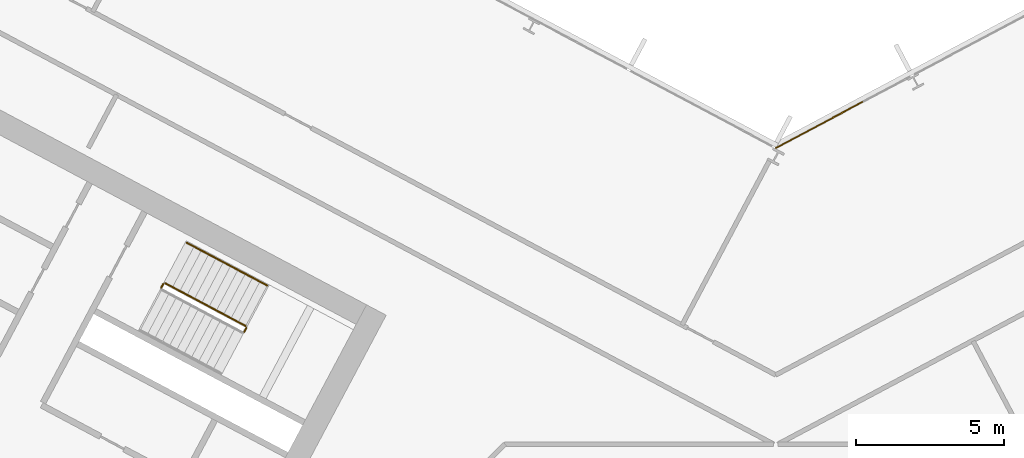
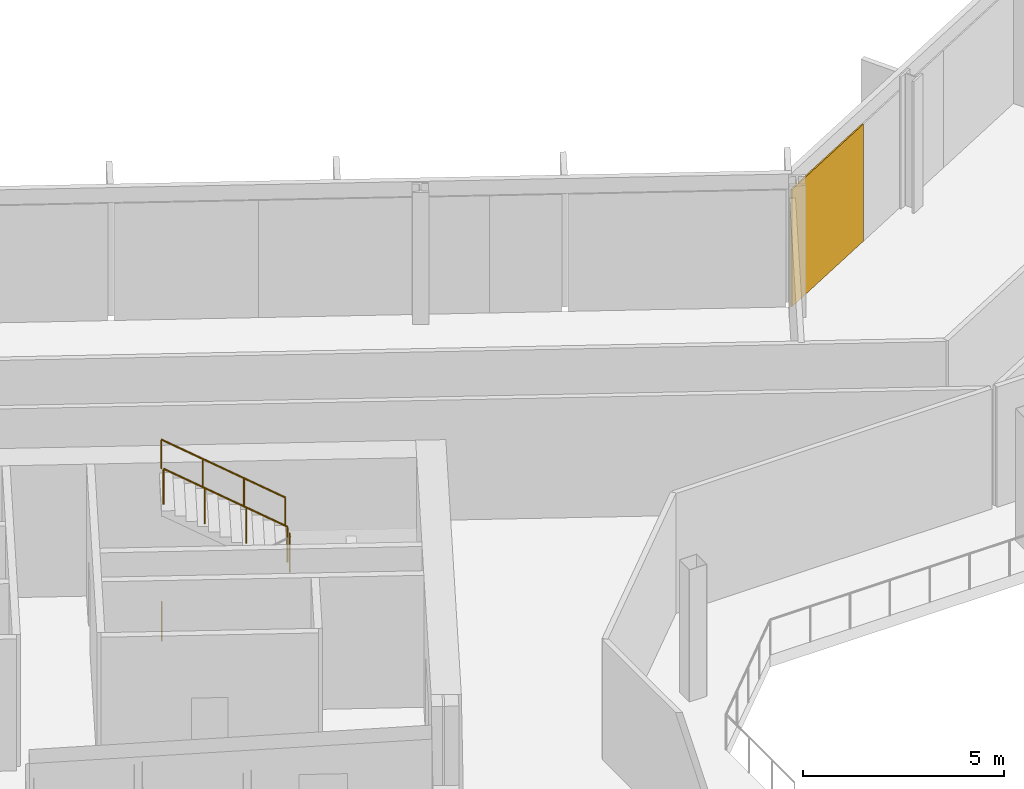
# One storey, part 23 of 28: 4 railings, 1 covering, 1 element without a shape of its own.
"""IFC4 building model written with IfcOpenShell, lengths in metres."""

from ifc_helpers import new_model, si_unit, direction, frame, origin, origin_2d, place, context, subcontext, project, spatial, polyline, rectangle, outline, extrude, material, layer, layer_set, type_object, element, aggregate, save


model = new_model("IFC4")

# Units and contexts
model_context = context("Model", 3, precision=1e-05, world=origin(), true_north=direction((0.0, 1.0)))
body_context = subcontext(model_context, "Body", "Model", "MODEL_VIEW")
ifc_project = project(units=[si_unit("LENGTHUNIT", "METRE"), si_unit("AREAUNIT", "SQUARE_METRE"), si_unit("VOLUMEUNIT", "CUBIC_METRE"), si_unit("PLANEANGLEUNIT", "RADIAN"), si_unit("MASSUNIT", "GRAM", prefix="KILO")], contexts=[model_context])

# Site, building, storey
site_placement = place(None, origin())
site = spatial("IfcSite", under=ifc_project, at=site_placement, CompositionType="ELEMENT")
building_placement = place(site_placement, origin())
building = spatial("IfcBuilding", under=site, at=building_placement, Name="Cormorant Relay Tower", CompositionType="ELEMENT")
storey_placement = place(building_placement, frame((0.0, 0.0, 138.199951171875)))
storey = spatial("IfcBuildingStorey", under=building, at=storey_placement, Name="L28", CompositionType="ELEMENT", Elevation=138.199951171875)

# Curtain wall, covering
ifc_material_1 = material(Name="Aluminium 6063-T6 anodised bronze", Category="aluminium")
ifc_layer_1 = layer(ifc_material_1, 0.199951171875)
ifc_layer_set_1 = layer_set([ifc_layer_1], Name="CW1 unitised bronze curtain wall with vertical fins")
curtain_wall_type = type_object("IfcCurtainWallType", Name="CW1 unitised bronze curtain wall with vertical fins", PredefinedType="NOTDEFINED", material=ifc_layer_set_1)
curtain_wall_placement = place(storey_placement, origin())
curtain_wall = element("IfcCurtainWall", 1, at=curtain_wall_placement, inside=storey, type_object=curtain_wall_type, Name="CW1 curtain wall 8", PredefinedType="NOTDEFINED")
ifc_material_2 = material(Name="Pale bronze anodised aluminium insulated panel", Category="aluminium")
ifc_layer_2 = layer(ifc_material_2, 0.0400390625)
ifc_layer_set_2 = layer_set([ifc_layer_2], Name="CW1 pale bronze insulated panel 40")
covering_type = type_object("IfcCoveringType", Name="CW1 pale bronze insulated panel 40", PredefinedType="CLADDING", material=ifc_layer_set_2)
covering_placement = place(storey_placement, frame((1.471435546875, 24.589111328125, 0.0), z_axis=(0.0, 0.0, 1.0), x_axis=(-0.882947592859, -0.469471562786, 0.0)))
covering = element("IfcCovering", 2, at=covering_placement, type_object=covering_type, Name="CW1 panel S10", PredefinedType="CLADDING", context=body_context, shape_type="SweptSolid", body=[
    extrude(rectangle(XDim=3.354248046875, YDim=0.0400390625, at=origin_2d()), origin(), (0.0, 0.0, 1.0), 3.550048828125),
])
aggregate(curtain_wall, [covering])

# Railings
ifc_material_3 = material(Name="Steel ASTM A572 Grade 50 (Fy 345 MPa)", Category="steel")
railing_type_1 = type_object("IfcRailingType", Name="Stair guard 1100", PredefinedType="GUARDRAIL", material=ifc_material_3)
railing_1_placement = place(storey_placement, frame((-17.96337890625, 17.592529296875, 2.0)))
element("IfcRailing", 3, at=railing_1_placement, inside=storey, type_object=railing_type_1, Name="L28 A1 stair guard 2", PredefinedType="GUARDRAIL", context=body_context, shape_type="SweptSolid", body=[
    extrude(outline(polyline([(0.022216796875, 0.00927734375), (0.00927734375, 0.022216796875), (-0.00927734375, 0.022216796875), (-0.022216796875, 0.00927734375), (-0.022216796875, -0.00927734375), (-0.00927734375, -0.022216796875), (0.00927734375, -0.022216796875), (0.022216796875, -0.00927734375), (0.022216796875, 0.00927734375)])), frame((0.0, 0.0, 1.076171875), z_axis=(0.46856034887, 0.8834314911, 0.0), x_axis=(-0.8834314911, 0.46856034887, 0.0)), (0.0, 0.0, 1.0), 0.150146484375),
    extrude(outline(polyline([(0.019287109375, 0.008056640625), (0.008056640625, 0.019287109375), (-0.008056640625, 0.019287109375), (-0.019287109375, 0.008056640625), (-0.019287109375, -0.008056640625), (-0.008056640625, -0.019287109375), (0.008056640625, -0.019287109375), (0.019287109375, -0.008056640625), (0.019287109375, 0.008056640625)])), origin(), (0.0, 0.0, 1.0), 1.052001953125),
    extrude(outline(polyline([(0.019287109375, 0.008056640625), (0.008056640625, 0.019287109375), (-0.008056640625, 0.019287109375), (-0.019287109375, 0.008056640625), (-0.019287109375, -0.008056640625), (-0.008056640625, -0.019287109375), (0.008056640625, -0.019287109375), (0.019287109375, -0.008056640625), (0.019287109375, 0.008056640625)])), frame((0.0703125, 0.132568359375, 0.0)), (0.0, 0.0, 1.0), 1.052001953125),
])
railing_2_placement = place(storey_placement, frame((-17.913818359375, 17.792724609375, 2.166748046875)))
element("IfcRailing", 4, at=railing_2_placement, inside=storey, type_object=railing_type_1, Name="L28 A1 stair guard 3", PredefinedType="GUARDRAIL", context=body_context, shape_type="SweptSolid", body=[
    extrude(outline(polyline([(0.022216796875, 0.00927734375), (0.00927734375, 0.022216796875), (-0.00927734375, 0.022216796875), (-0.022216796875, 0.00927734375), (-0.022216796875, -0.00927734375), (-0.00927734375, -0.022216796875), (0.00927734375, -0.022216796875), (0.022216796875, -0.00927734375), (0.022216796875, 0.00927734375)])), frame((0.0, 0.0, 1.076171875), z_axis=(-0.758734504837, 0.403377838015, 0.511476559549), x_axis=(-0.469427602063, -0.882970965786, 0.0)), (0.0, 0.0, 1.0), 3.584228515625),
    extrude(outline(polyline([(0.019287109375, 0.008056640625), (0.008056640625, 0.019287109375), (-0.008056640625, 0.019287109375), (-0.019287109375, 0.008056640625), (-0.019287109375, -0.008056640625), (-0.008056640625, -0.019287109375), (0.008056640625, -0.019287109375), (0.019287109375, -0.008056640625), (0.019287109375, 0.008056640625)])), origin(), (0.0, 0.0, 1.0), 1.052001953125),
    extrude(outline(polyline([(0.019287109375, 0.008056640625), (0.008056640625, 0.019287109375), (-0.008056640625, 0.019287109375), (-0.019287109375, 0.008056640625), (-0.019287109375, -0.008056640625), (-0.008056640625, -0.019287109375), (0.008056640625, -0.019287109375), (0.019287109375, -0.008056640625), (0.019287109375, 0.008056640625)])), frame((-0.906494140625, 0.48193359375, 0.611083984375)), (0.0, 0.0, 1.0), 1.052001953125),
    extrude(outline(polyline([(0.019287109375, 0.008056640625), (0.008056640625, 0.019287109375), (-0.008056640625, 0.019287109375), (-0.019287109375, 0.008056640625), (-0.019287109375, -0.008056640625), (-0.008056640625, -0.019287109375), (0.008056640625, -0.019287109375), (0.019287109375, -0.008056640625), (0.019287109375, 0.008056640625)])), frame((-1.81298828125, 0.9638671875, 1.22216796875)), (0.0, 0.0, 1.0), 1.052001953125),
    extrude(outline(polyline([(0.019287109375, 0.008056640625), (0.008056640625, 0.019287109375), (-0.008056640625, 0.019287109375), (-0.019287109375, 0.008056640625), (-0.019287109375, -0.008056640625), (-0.008056640625, -0.019287109375), (0.008056640625, -0.019287109375), (0.019287109375, -0.008056640625), (0.019287109375, 0.008056640625)])), frame((-2.719482421875, 1.44580078125, 1.833251953125)), (0.0, 0.0, 1.0), 1.052001953125),
])
railing_3_placement = place(storey_placement, frame((-20.771240234375, 19.08544921875, 0.0)))
element("IfcRailing", 5, at=railing_3_placement, inside=storey, type_object=railing_type_1, Name="L28 A1 stair guard 4", PredefinedType="GUARDRAIL", context=body_context, shape_type="SweptSolid", body=[
    extrude(outline(polyline([(0.022216796875, 0.00927734375), (0.00927734375, 0.022216796875), (-0.00927734375, 0.022216796875), (-0.022216796875, 0.00927734375), (-0.022216796875, -0.00927734375), (-0.00927734375, -0.022216796875), (0.00927734375, -0.022216796875), (0.022216796875, -0.00927734375), (0.022216796875, 0.00927734375)])), frame((0.0, 0.0, 1.076171875), z_axis=(0.469828648786, 0.882757634224, 0.0), x_axis=(-0.882757634224, 0.469828648786, 0.0)), (0.0, 0.0, 1.0), 0.150146484375),
    extrude(outline(polyline([(0.019287109375, 0.008056640625), (0.008056640625, 0.019287109375), (-0.008056640625, 0.019287109375), (-0.019287109375, 0.008056640625), (-0.019287109375, -0.008056640625), (-0.008056640625, -0.019287109375), (0.008056640625, -0.019287109375), (0.019287109375, -0.008056640625), (0.019287109375, 0.008056640625)])), origin(), (0.0, 0.0, 1.0), 1.052001953125),
    extrude(outline(polyline([(0.019287109375, 0.008056640625), (0.008056640625, 0.019287109375), (-0.008056640625, 0.019287109375), (-0.019287109375, 0.008056640625), (-0.019287109375, -0.008056640625), (-0.008056640625, -0.019287109375), (0.008056640625, -0.019287109375), (0.019287109375, -0.008056640625), (0.019287109375, 0.008056640625)])), frame((0.070556640625, 0.132568359375, 0.0)), (0.0, 0.0, 1.0), 1.052001953125),
])
ifc_material_4 = material(Name="Steel ASTM A572 Grade 50 (Fy 345 MPa)", Category="steel")
railing_type_2 = type_object("IfcRailingType", Name="Stair handrail 900", PredefinedType="HANDRAIL", material=ifc_material_4)
railing_4_placement = place(storey_placement, frame((-17.18603515625, 19.1611328125, 2.166748046875)))
element("IfcRailing", 6, at=railing_4_placement, inside=storey, type_object=railing_type_2, Name="L28 A1 stair handrail 2", PredefinedType="HANDRAIL", context=body_context, shape_type="SweptSolid", body=[
    extrude(outline(polyline([(0.022216796875, 0.00927734375), (0.00927734375, 0.022216796875), (-0.00927734375, 0.022216796875), (-0.022216796875, 0.00927734375), (-0.022216796875, -0.00927734375), (-0.00927734375, -0.022216796875), (0.00927734375, -0.022216796875), (0.022216796875, -0.00927734375), (0.022216796875, 0.00927734375)])), frame((0.0, 0.0, 0.8759765625), z_axis=(-0.758713656843, 0.403434867536, 0.511462505542), x_axis=(-0.469489399267, -0.882938108802, 0.0)), (0.0, 0.0, 1.0), 3.584228515625),
    extrude(outline(polyline([(0.019287109375, 0.008056640625), (0.008056640625, 0.019287109375), (-0.008056640625, 0.019287109375), (-0.019287109375, 0.008056640625), (-0.019287109375, -0.008056640625), (-0.008056640625, -0.019287109375), (0.008056640625, -0.019287109375), (0.019287109375, -0.008056640625), (0.019287109375, 0.008056640625)])), origin(), (0.0, 0.0, 1.0), 0.851806640625),
    extrude(outline(polyline([(0.019287109375, 0.008056640625), (0.008056640625, 0.019287109375), (-0.008056640625, 0.019287109375), (-0.019287109375, 0.008056640625), (-0.019287109375, -0.008056640625), (-0.008056640625, -0.019287109375), (0.008056640625, -0.019287109375), (0.019287109375, -0.008056640625), (0.019287109375, 0.008056640625)])), frame((-0.906494140625, 0.48193359375, 0.611083984375)), (0.0, 0.0, 1.0), 0.851806640625),
    extrude(outline(polyline([(0.019287109375, 0.008056640625), (0.008056640625, 0.019287109375), (-0.008056640625, 0.019287109375), (-0.019287109375, 0.008056640625), (-0.019287109375, -0.008056640625), (-0.008056640625, -0.019287109375), (0.008056640625, -0.019287109375), (0.019287109375, -0.008056640625), (0.019287109375, 0.008056640625)])), frame((-1.81298828125, 0.964111328125, 1.22216796875)), (0.0, 0.0, 1.0), 0.851806640625),
    extrude(outline(polyline([(0.019287109375, 0.008056640625), (0.008056640625, 0.019287109375), (-0.008056640625, 0.019287109375), (-0.019287109375, 0.008056640625), (-0.019287109375, -0.008056640625), (-0.008056640625, -0.019287109375), (0.008056640625, -0.019287109375), (0.019287109375, -0.008056640625), (0.019287109375, 0.008056640625)])), frame((-2.719482421875, 1.446044921875, 1.833251953125)), (0.0, 0.0, 1.0), 0.851806640625),
])

save(model, "model.ifc")
